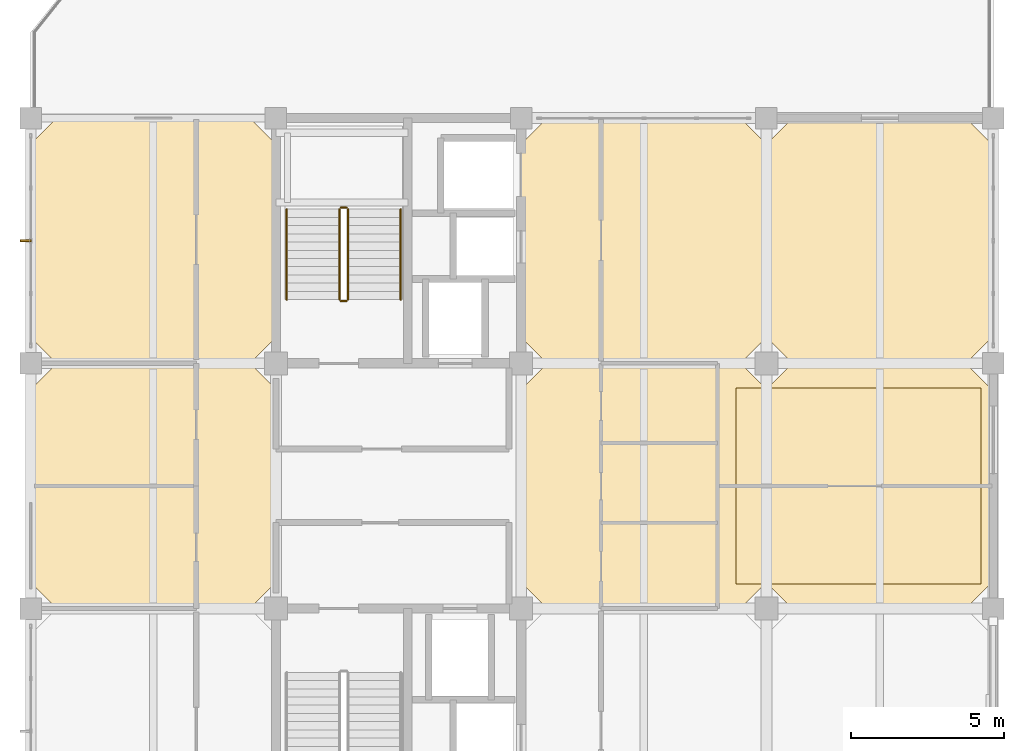
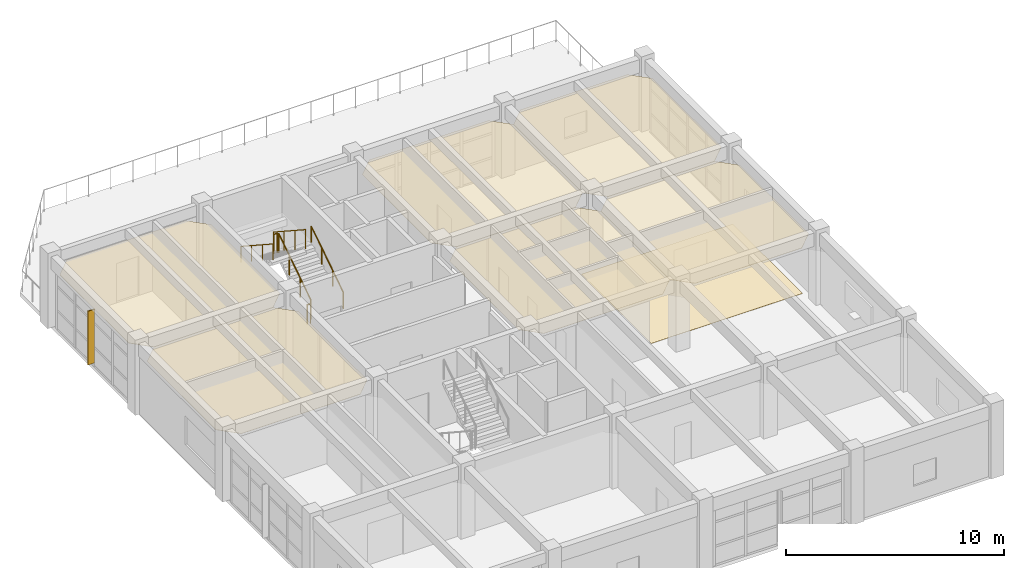
# One storey, part 18 of 19: 7 coverings, 6 railings, 1 shading device.
"""IFC4 building model written with IfcOpenShell, lengths in metres."""

from ifc_helpers import new_model, si_unit, direction, frame, origin, origin_2d, place, context, subcontext, project, spatial, polyline, rectangle, circle, outline, extrude, material, layer, layer_set, type_object, element, save


model = new_model("IFC4")

# Units and contexts
model_context = context("Model", 3, precision=1e-05, world=origin(), true_north=direction((0.0, 1.0)))
body_context = subcontext(model_context, "Body", "Model", "MODEL_VIEW")
ifc_project = project(units=[si_unit("LENGTHUNIT", "METRE"), si_unit("AREAUNIT", "SQUARE_METRE"), si_unit("VOLUMEUNIT", "CUBIC_METRE"), si_unit("PLANEANGLEUNIT", "RADIAN"), si_unit("MASSUNIT", "GRAM", prefix="KILO")], contexts=[model_context])

# Site, building, storey
site_placement = place(None, origin())
site = spatial("IfcSite", under=ifc_project, at=site_placement, CompositionType="ELEMENT")
building_placement = place(site_placement, origin())
building = spatial("IfcBuilding", under=site, at=building_placement, Name="Canggui Botanical Conservatory", CompositionType="ELEMENT")
storey_placement = place(building_placement, frame((0.0, 0.0, 48.60009765625)))
storey = spatial("IfcBuildingStorey", under=building, at=storey_placement, Name="L12", CompositionType="ELEMENT", Elevation=48.60009765625)

# Coverings
ifc_material_1 = material(Name="Mineral Fibre Acoustic Board")
ifc_layer_1 = layer(ifc_material_1, 0.014892578125, Name="Mineral Fibre Acoustic Board")
ifc_layer_set_1 = layer_set([ifc_layer_1], Name="Mineral Fibre Acoustic Board")
covering_type_1 = type_object("IfcCoveringType", Name="COV-CEIL-15", PredefinedType="CEILING", material=ifc_layer_set_1)
covering_1_placement = place(storey_placement, frame((0.0, 0.0, 3.19482421875)))
element("IfcCovering", 1, at=covering_1_placement, inside=storey, type_object=covering_type_1, Name="Suspended Acoustic Ceiling L12-146-50", PredefinedType="CEILING", context=body_context, shape_type="SweptSolid", body=[
    extrude(outline(polyline([(146.85009765625, 50.0), (153.14990234375, 50.0), (154.0, 50.85009765625), (154.0, 57.14990234375), (153.14990234375, 58.0), (146.85009765625, 58.0), (146.0, 57.14990234375), (146.0, 50.85009765625), (146.85009765625, 50.0)])), origin(), (0.0, 0.0, 1.0), 0.01513671875),
])
covering_2_placement = place(storey_placement, frame((0.0, 0.0, 3.19482421875)))
element("IfcCovering", 2, at=covering_2_placement, inside=storey, type_object=covering_type_1, Name="Suspended Acoustic Ceiling L12-162-50", PredefinedType="CEILING", context=body_context, shape_type="SweptSolid", body=[
    extrude(outline(polyline([(162.85009765625, 50.0), (169.14990234375, 50.0), (170.0, 50.85009765625), (170.0, 57.14990234375), (169.14990234375, 58.0), (162.85009765625, 58.0), (162.0, 57.14990234375), (162.0, 50.85009765625), (162.85009765625, 50.0)])), origin(), (0.0, 0.0, 1.0), 0.01513671875),
])
covering_3_placement = place(storey_placement, frame((0.0, 0.0, 3.19482421875)))
element("IfcCovering", 3, at=covering_3_placement, inside=storey, type_object=covering_type_1, Name="Suspended Acoustic Ceiling L12-170-58", PredefinedType="CEILING", context=body_context, shape_type="SweptSolid", body=[
    extrude(outline(polyline([(170.85009765625, 58.0), (176.5, 58.0), (177.35009765625, 58.85009765625), (177.35009765625, 65.14990234375), (176.5, 66.0), (170.85009765625, 66.0), (170.0, 65.14990234375), (170.0, 58.85009765625), (170.85009765625, 58.0)])), origin(), (0.0, 0.0, 1.0), 0.01513671875),
])
ifc_material_2 = material(Name="Perforated Gypsum Acoustic Panel")
ifc_layer_2 = layer(ifc_material_2, 0.02001953125, Name="Perforated Gypsum Acoustic Panel")
ifc_layer_set_2 = layer_set([ifc_layer_2], Name="Perforated Gypsum Acoustic Panel")
covering_type_2 = type_object("IfcCoveringType", Name="COV-CEIL-20", PredefinedType="CEILING", material=ifc_layer_set_2)
covering_4_placement = place(storey_placement, frame((0.0, 0.0, 3.18994140625)))
element("IfcCovering", 4, at=covering_4_placement, inside=storey, type_object=covering_type_2, Name="Suspended Acoustic Ceiling L12-146-58", PredefinedType="CEILING", context=body_context, shape_type="SweptSolid", body=[
    extrude(outline(polyline([(146.85009765625, 58.0), (153.14990234375, 58.0), (154.0, 58.85009765625), (154.0, 65.14990234375), (153.14990234375, 66.0), (146.85009765625, 66.0), (146.0, 65.14990234375), (146.0, 58.85009765625), (146.85009765625, 58.0)])), origin(), (0.0, 0.0, 1.0), 0.02001953125),
])
covering_5_placement = place(storey_placement, frame((0.0, 0.0, 3.18994140625)))
element("IfcCovering", 5, at=covering_5_placement, inside=storey, type_object=covering_type_2, Name="Suspended Acoustic Ceiling L12-162-58", PredefinedType="CEILING", context=body_context, shape_type="SweptSolid", body=[
    extrude(outline(polyline([(162.85009765625, 58.0), (169.14990234375, 58.0), (170.0, 58.85009765625), (170.0, 65.14990234375), (169.14990234375, 66.0), (162.85009765625, 66.0), (162.0, 65.14990234375), (162.0, 58.85009765625), (162.85009765625, 58.0)])), origin(), (0.0, 0.0, 1.0), 0.02001953125),
])
covering_6_placement = place(storey_placement, frame((0.0, 0.0, 3.18994140625)))
element("IfcCovering", 6, at=covering_6_placement, inside=storey, type_object=covering_type_2, Name="Suspended Acoustic Ceiling L12-170-50", PredefinedType="CEILING", context=body_context, shape_type="SweptSolid", body=[
    extrude(outline(polyline([(170.85009765625, 50.0), (176.5, 50.0), (177.35009765625, 50.85009765625), (177.35009765625, 57.14990234375), (176.5, 58.0), (170.85009765625, 58.0), (170.0, 57.14990234375), (170.0, 50.85009765625), (170.85009765625, 50.0)])), origin(), (0.0, 0.0, 1.0), 0.02001953125),
])
ifc_material_3 = material(Name="Seamless Laboratory Epoxy Resin")
ifc_layer_3 = layer(ifc_material_3, 0.011962890625, Name="Seamless Laboratory Epoxy Resin")
ifc_layer_set_3 = layer_set([ifc_layer_3], Name="Seamless Laboratory Epoxy Resin")
covering_type_3 = type_object("IfcCoveringType", Name="COV-FLR-12", PredefinedType="FLOORING", material=ifc_layer_set_3)
covering_7_placement = place(storey_placement, origin())
element("IfcCovering", 7, at=covering_7_placement, inside=storey, type_object=covering_type_3, Name="Laboratory Finish Flooring L12", PredefinedType="FLOORING", context=body_context, shape_type="SweptSolid", body=[
    extrude(outline(polyline([(169.0, 50.800048828125), (177.0, 50.800048828125), (177.0, 57.199951171875), (169.0, 57.199951171875), (169.0, 50.800048828125)])), origin(), (0.0, 0.0, 1.0), 0.011962890625),
])

# Railings
ifc_material_4 = material(Name="Stainless Steel 304", Category="steel")
railing_type_1 = type_object("IfcRailingType", Name="RAIL-GUARD-1100", PredefinedType="BALUSTRADE", material=ifc_material_4)
railing_1_placement = place(storey_placement, frame((156.35009765625, 60.080078125, 0.1748046875)))
element("IfcRailing", 8, at=railing_1_placement, inside=storey, type_object=railing_type_1, Name="L12 ST-T2 stair guard 1", PredefinedType="BALUSTRADE", context=body_context, shape_type="SweptSolid", body=[
    extrude(circle(Radius=0.02392578125, at=origin_2d()), frame((0.0, 0.0, 1.076171875), z_axis=(0.0, 0.837293178872, 0.54675417933), x_axis=(-1.0, 0.0, 0.0)), (0.0, 0.0, 1.0), 3.520751953125),
    extrude(circle(Radius=0.02099609375, at=origin_2d()), origin(), (0.0, 0.0, 1.0), 1.052001953125),
    extrude(circle(Radius=0.02099609375, at=origin_2d()), frame((0.0, 0.982666015625, 0.6416015625)), (0.0, 0.0, 1.0), 1.052001953125),
    extrude(circle(Radius=0.02099609375, at=origin_2d()), frame((0.0, 1.96533203125, 1.283447265625)), (0.0, 0.0, 1.0), 1.052001953125),
    extrude(circle(Radius=0.02099609375, at=origin_2d()), frame((0.0, 2.947998046875, 1.925048828125)), (0.0, 0.0, 1.0), 1.052001953125),
])
railing_2_placement = place(storey_placement, frame((156.300048828125, 63.077880859375, 2.099853515625)))
element("IfcRailing", 9, at=railing_2_placement, inside=storey, type_object=railing_type_1, Name="L12 ST-T2 stair guard 2", PredefinedType="BALUSTRADE", context=body_context, shape_type="SweptSolid", body=[
    extrude(circle(Radius=0.02392578125, at=origin_2d()), frame((0.0, 0.0, 1.076171875), z_axis=(-1.0, 0.0, 0.0), x_axis=(0.0, -1.0, 0.0)), (0.0, 0.0, 1.0), 0.179931640625),
    extrude(circle(Radius=0.02099609375, at=origin_2d()), origin(), (0.0, 0.0, 1.0), 1.052001953125),
    extrude(circle(Radius=0.02099609375, at=origin_2d()), frame((-0.179931640625, 0.0, 0.0)), (0.0, 0.0, 1.0), 1.052001953125),
])
railing_3_placement = place(storey_placement, frame((156.070068359375, 63.028076171875, 2.27490234375)))
element("IfcRailing", 10, at=railing_3_placement, inside=storey, type_object=railing_type_1, Name="L12 ST-T2 stair guard 3", PredefinedType="BALUSTRADE", context=body_context, shape_type="SweptSolid", body=[
    extrude(circle(Radius=0.02392578125, at=origin_2d()), frame((0.0, 0.0, 1.076171875), z_axis=(0.0, -0.837293178872, 0.54675417933), x_axis=(1.0, 0.0, 0.0)), (0.0, 0.0, 1.0), 3.520751953125),
    extrude(circle(Radius=0.02099609375, at=origin_2d()), origin(), (0.0, 0.0, 1.0), 1.052001953125),
    extrude(circle(Radius=0.02099609375, at=origin_2d()), frame((0.0, -0.982666015625, 0.6416015625)), (0.0, 0.0, 1.0), 1.052001953125),
    extrude(circle(Radius=0.02099609375, at=origin_2d()), frame((0.0, -1.96533203125, 1.283447265625)), (0.0, 0.0, 1.0), 1.052001953125),
    extrude(circle(Radius=0.02099609375, at=origin_2d()), frame((0.0, -2.947998046875, 1.925048828125)), (0.0, 0.0, 1.0), 1.052001953125),
])
railing_4_placement = place(storey_placement, frame((156.300048828125, 60.030029296875, 0.0)))
element("IfcRailing", 11, at=railing_4_placement, inside=storey, type_object=railing_type_1, Name="L12 ST-T2 stair guard 4", PredefinedType="BALUSTRADE", context=body_context, shape_type="SweptSolid", body=[
    extrude(circle(Radius=0.02392578125, at=origin_2d()), frame((0.0, 0.0, 1.076171875), z_axis=(-1.0, 0.0, 0.0), x_axis=(0.0, -1.0, 0.0)), (0.0, 0.0, 1.0), 0.179931640625),
    extrude(circle(Radius=0.02099609375, at=origin_2d()), origin(), (0.0, 0.0, 1.0), 1.052001953125),
    extrude(circle(Radius=0.02099609375, at=origin_2d()), frame((-0.179931640625, 0.0, 0.0)), (0.0, 0.0, 1.0), 1.052001953125),
])
railing_type_2 = type_object("IfcRailingType", Name="RAIL-HAND-900", PredefinedType="HANDRAIL", material=ifc_material_4)
railing_5_placement = place(storey_placement, frame((158.070068359375, 60.080078125, 0.1748046875)))
element("IfcRailing", 12, at=railing_5_placement, inside=storey, type_object=railing_type_2, Name="L12 ST-T2 stair handrail 1", PredefinedType="HANDRAIL", context=body_context, shape_type="SweptSolid", body=[
    extrude(circle(Radius=0.02392578125, at=origin_2d()), frame((0.0, 0.0, 0.8759765625), z_axis=(0.0, 0.837293178872, 0.54675417933), x_axis=(-1.0, 0.0, 0.0)), (0.0, 0.0, 1.0), 3.520751953125),
    extrude(circle(Radius=0.02099609375, at=origin_2d()), origin(), (0.0, 0.0, 1.0), 0.851806640625),
    extrude(circle(Radius=0.02099609375, at=origin_2d()), frame((0.0, 0.982666015625, 0.6416015625)), (0.0, 0.0, 1.0), 0.851806640625),
    extrude(circle(Radius=0.02099609375, at=origin_2d()), frame((0.0, 1.96533203125, 1.283447265625)), (0.0, 0.0, 1.0), 0.851806640625),
    extrude(circle(Radius=0.02099609375, at=origin_2d()), frame((0.0, 2.947998046875, 1.925048828125)), (0.0, 0.0, 1.0), 0.851806640625),
])
railing_6_placement = place(storey_placement, frame((154.35009765625, 63.028076171875, 2.27490234375)))
element("IfcRailing", 13, at=railing_6_placement, inside=storey, type_object=railing_type_2, Name="L12 ST-T2 stair handrail 2", PredefinedType="HANDRAIL", context=body_context, shape_type="SweptSolid", body=[
    extrude(circle(Radius=0.02392578125, at=origin_2d()), frame((0.0, 0.0, 0.8759765625), z_axis=(0.0, -0.837293178872, 0.54675417933), x_axis=(1.0, 0.0, 0.0)), (0.0, 0.0, 1.0), 3.520751953125),
    extrude(circle(Radius=0.02099609375, at=origin_2d()), origin(), (0.0, 0.0, 1.0), 0.851806640625),
    extrude(circle(Radius=0.02099609375, at=origin_2d()), frame((0.0, -0.982666015625, 0.6416015625)), (0.0, 0.0, 1.0), 0.851806640625),
    extrude(circle(Radius=0.02099609375, at=origin_2d()), frame((0.0, -1.96533203125, 1.283447265625)), (0.0, 0.0, 1.0), 0.851806640625),
    extrude(circle(Radius=0.02099609375, at=origin_2d()), frame((0.0, -2.947998046875, 1.925048828125)), (0.0, 0.0, 1.0), 0.851806640625),
])

# Shading device
ifc_material_5 = material(Name="Anodised Aluminium", Category="aluminium")
shading_device_type = type_object("IfcShadingDeviceType", Name="SHD-FIN02", PredefinedType="AWNING", material=ifc_material_5)
shading_device_placement = place(storey_placement, frame((145.8349609375, 62.0, 0.199951171875), z_axis=(0.0, 0.0, 1.0), x_axis=(0.0, 1.0, 0.0)))
element("IfcShadingDevice", 14, at=shading_device_placement, inside=storey, type_object=shading_device_type, Name="Solar Shading Fin CW-TWR-L12-08", PredefinedType="AWNING", context=body_context, shape_type="SweptSolid", body=[
    extrude(rectangle(XDim=0.06005859375, YDim=0.360107421875, at=origin_2d()), origin(), (0.0, 0.0, 1.0), 3.0),
])

save(model, "model.ifc")
